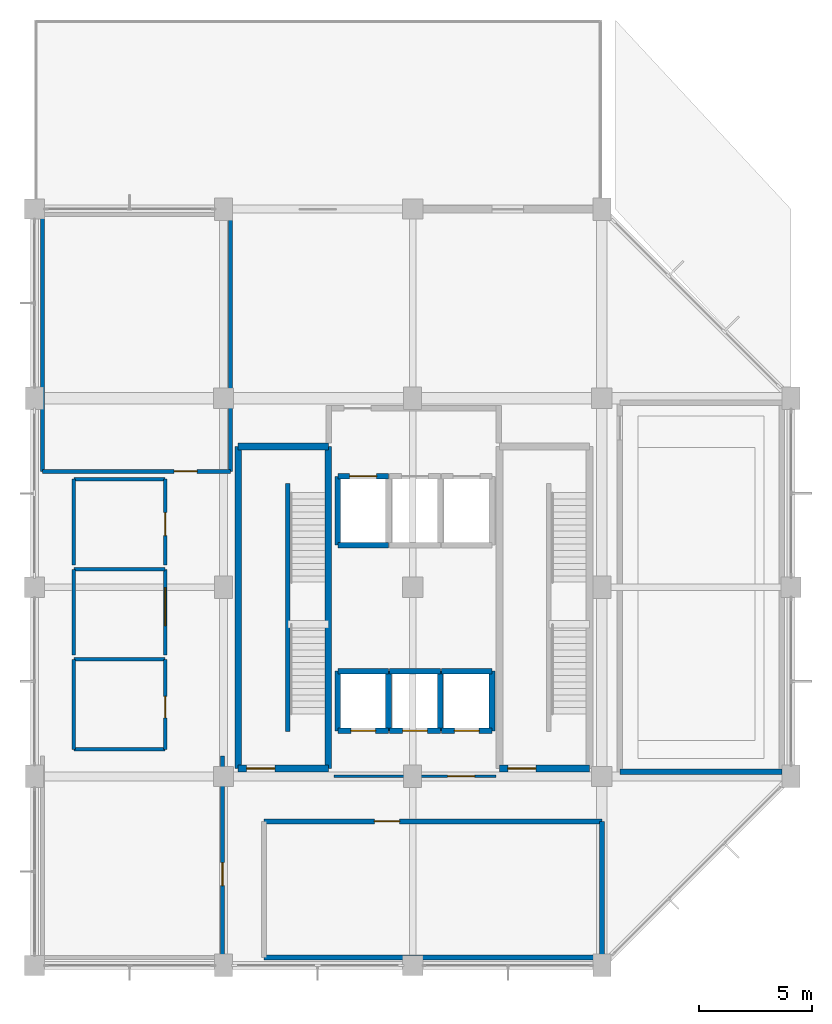
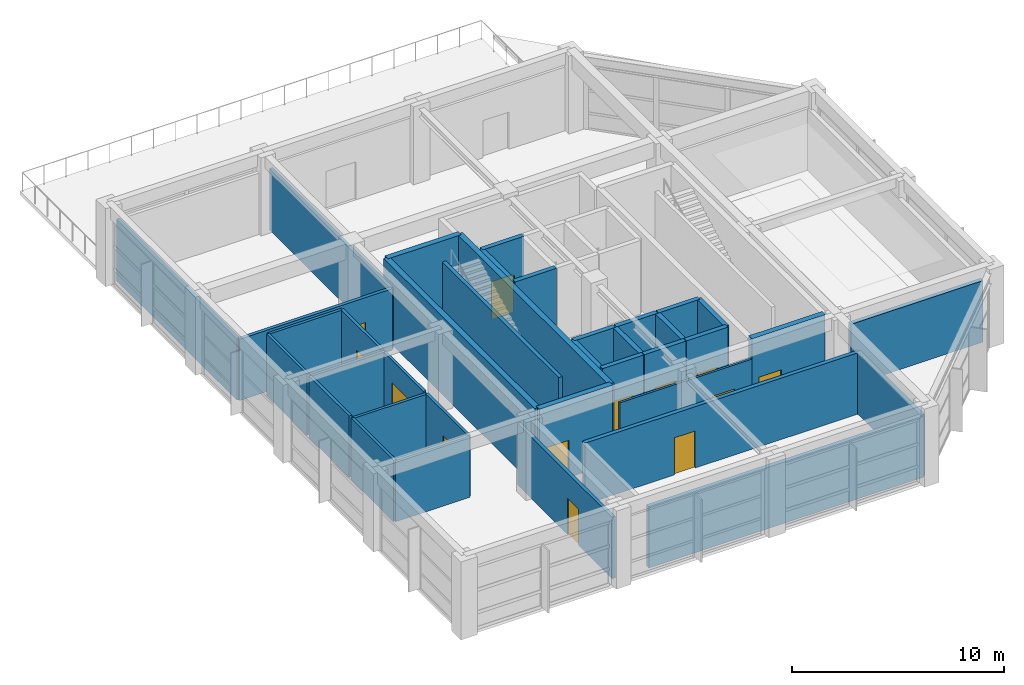
# One storey, part 8 of 10: 38 walls, 13 doors, 13 openings.
"""IFC4 building model written with IfcOpenShell, lengths in metres."""

from ifc_helpers import new_model, si_unit, direction, frame, frame_2d, origin, place, context, subcontext, project, spatial, rectangle, extrude, material, layer, layer_set, type_object, element, fill, save


model = new_model("IFC4")

# Units and contexts
model_context = context("Model", 3, precision=1e-05, world=origin(), true_north=direction((0.0, 1.0)))
body_context = subcontext(model_context, "Body", "Model", "MODEL_VIEW")
ifc_project = project(units=[si_unit("LENGTHUNIT", "METRE"), si_unit("AREAUNIT", "SQUARE_METRE"), si_unit("VOLUMEUNIT", "CUBIC_METRE"), si_unit("PLANEANGLEUNIT", "RADIAN"), si_unit("MASSUNIT", "GRAM", prefix="KILO")], contexts=[model_context])

# Site, building, storey
site_placement = place(None, origin())
site = spatial("IfcSite", under=ifc_project, at=site_placement, CompositionType="ELEMENT")
building_placement = place(site_placement, origin())
building = spatial("IfcBuilding", under=site, at=building_placement, Name="Xuanlan Plaza Opera House", CompositionType="ELEMENT")
storey_placement = place(building_placement, frame((0.0, 0.0, 69.89990234375)))
storey = spatial("IfcBuildingStorey", under=building, at=storey_placement, Name="L16", CompositionType="ELEMENT", Elevation=69.89990234375)

# Wall
ifc_material_1 = material(Name="Gypsum Board and Galvanised Steel Studs", Category="gypsum")
ifc_layer_1 = layer(ifc_material_1, 0.239990234375)
ifc_layer_set_1 = layer_set([ifc_layer_1], Name="Gypsum Board and Galvanised Steel Studs")
wall_type_1 = type_object("IfcWallType", Name="INT-WL-PW-01", PredefinedType="PARTITIONING", material=ifc_layer_set_1)
wall_1_placement = place(storey_placement, frame((152.0, 50.60009765625, 0.0), z_axis=(0.0, 0.0, 1.0), x_axis=(1.0, 0.0, 0.0)))
element("IfcWall", 1, at=wall_1_placement, inside=storey, type_object=wall_type_1, Name="Overture Chamber Salon Wall South", PredefinedType="PARTITIONING", context=body_context, shape_type="SweptSolid", body=[
    extrude(rectangle(XDim=7.199951171875, YDim=0.239990234375, at=frame_2d((3.60009765625, 0.0))), origin(), (0.0, 0.0, 1.0), 3.5400390625),
])

# Wall, opening, door
ifc_layer_2 = layer(ifc_material_1, 0.179931640625)
ifc_layer_set_2 = layer_set([ifc_layer_2], Name="Gypsum Board and Galvanised Steel Studs")
wall_type_2 = type_object("IfcWallType", Name="INT-WL-PW-02", PredefinedType="PARTITIONING", material=ifc_layer_set_2)
wall_2_placement = place(storey_placement, frame((134.35009765625, 42.35009765625, 0.0), z_axis=(0.0, 0.0, 1.0), x_axis=(0.0, 1.0, 0.0)))
wall_2 = element("IfcWall", 2, at=wall_2_placement, inside=storey, type_object=wall_type_2, Name="Crown Cultural Reception Office Wall East", PredefinedType="PARTITIONING", context=body_context, shape_type="SweptSolid", body=[
    extrude(rectangle(XDim=8.949951171875, YDim=0.179931640625, at=frame_2d((4.47509765625, 0.0))), origin(), (0.0, 0.0, 1.0), 3.5400390625),
])
opening_1_placement = place(wall_2_placement, frame((3.199951171875, 0.0, 0.0)))
opening_1 = element("IfcOpeningElement", 3, at=opening_1_placement, cuts=wall_2, Name="Opening D-02", PredefinedType="OPENING", context=body_context, shape_type="SweptSolid", body=[
    extrude(rectangle(XDim=1.02001953125, YDim=2.10009765625, at=frame_2d((0.510009765625, 1.050048828125))), frame((0.0, 0.099853515625, 0.0), z_axis=(0.0, -1.0, 0.0), x_axis=(1.0, 0.0, 0.0)), (0.0, 0.0, 1.0), 0.199951171875),
])
ifc_material_2 = material(Name="Oak Hardwood Timber", Category="wood")
door_type_1 = type_object("IfcDoorType", Name="INT-DR-D-02", OperationType="NOTDEFINED", PredefinedType="DOOR", material=ifc_material_2)
door_1_placement = place(opening_1_placement, origin())
door_1 = element("IfcDoor", 4, at=door_1_placement, inside=storey, type_object=door_type_1, Name="Crown Cultural Reception Office Door 1", OperationType="SINGLE_SWING_RIGHT", OverallHeight=2.10009765625, OverallWidth=1.02001953125, PredefinedType="DOOR", context=body_context, shape_type="SweptSolid", body=[
    extrude(rectangle(XDim=1.02001953125, YDim=2.10009765625, at=frame_2d((0.510009765625, 1.050048828125))), frame((0.0, 0.02490234375, 0.0), z_axis=(0.0, -1.0, 0.0), x_axis=(1.0, 0.0, 0.0)), (0.0, 0.0, 1.0), 0.050048828125),
])
fill(opening_1, door_1)

wall_3_placement = place(storey_placement, frame((126.35009765625, 63.949951171875, 0.0), z_axis=(0.0, 0.0, 1.0), x_axis=(1.0, 0.0, 0.0)))
wall_3 = element("IfcWall", 5, at=wall_3_placement, inside=storey, type_object=wall_type_2, Name="Crown Artist Green Studio Wall South", PredefinedType="PARTITIONING", context=body_context, shape_type="SweptSolid", body=[
    extrude(rectangle(XDim=8.349853515625, YDim=0.179931640625, at=frame_2d((4.1748046875, 0.0))), origin(), (0.0, 0.0, 1.0), 3.5400390625),
])
opening_2_placement = place(wall_3_placement, frame((5.85009765625, 0.0, 0.0)))
opening_2 = element("IfcOpeningElement", 6, at=opening_2_placement, cuts=wall_3, Name="Opening D-02", PredefinedType="OPENING", context=body_context, shape_type="SweptSolid", body=[
    extrude(rectangle(XDim=1.02001953125, YDim=2.10009765625, at=frame_2d((0.510009765625, 1.050048828125))), frame((0.0, 0.099853515625, 0.0), z_axis=(0.0, -1.0, 0.0), x_axis=(1.0, 0.0, 0.0)), (0.0, 0.0, 1.0), 0.199951171875),
])
door_2_placement = place(opening_2_placement, origin())
door_2 = element("IfcDoor", 7, at=door_2_placement, inside=storey, type_object=door_type_1, Name="Crown Artist Green Studio Door 1", OperationType="SINGLE_SWING_RIGHT", OverallHeight=2.10009765625, OverallWidth=1.02001953125, PredefinedType="DOOR", context=body_context, shape_type="SweptSolid", body=[
    extrude(rectangle(XDim=1.02001953125, YDim=2.10009765625, at=frame_2d((0.510009765625, 1.050048828125))), frame((0.0, 0.02490234375, 0.0), z_axis=(0.0, -1.0, 0.0), x_axis=(1.0, 0.0, 0.0)), (0.0, 0.0, 1.0), 0.050048828125),
])
fill(opening_2, door_2)

# Walls
for number, where, z_axis, x_axis, name in (
    (8, (126.35009765625, 63.949951171875, 0.0), (0.0, 0.0, 1.0), (0.0, 1.0, 0.0), "Crown Artist Green Studio Wall West"),
    (9, (134.699951171875, 63.949951171875, 0.0), (0.0, 0.0, 1.0), (0.0, 1.0, 0.0), "Crown Artist Green Studio Wall East"),
):
    element("IfcWall", number, at=place(storey_placement, frame(where, z_axis=z_axis, x_axis=x_axis)), inside=storey, type_object=wall_type_2, Name=name, PredefinedType="PARTITIONING", context=body_context, shape_type="SweptSolid", body=[
        extrude(rectangle(XDim=11.400146484375, YDim=0.179931640625, at=frame_2d((5.7001953125, 0.0))), origin(), (0.0, 0.0, 1.0), 3.5400390625),
    ])
ifc_material_3 = material(Name="Autoclaved Aerated Blockwork Masonry", Category="masonry")
ifc_layer_3 = layer(ifc_material_3, 0.14990234375)
ifc_layer_set_3 = layer_set([ifc_layer_3], Name="Autoclaved Aerated Blockwork Masonry")
wall_type_3 = type_object("IfcWallType", Name="INT-WL-PW-03", PredefinedType="PARTITIONING", material=ifc_layer_set_3)
for number, where, z_axis, x_axis, name in (
    (10, (127.75, 51.60009765625, 0.0), (0.0, 0.0, 1.0), (1.0, 0.0, 0.0), "Public WC Wall South"),
    (11, (127.75, 55.60009765625, 0.0), (0.0, 0.0, 1.0), (1.0, 0.0, 0.0), "Public WC Wall North"),
):
    element("IfcWall", number, at=place(storey_placement, frame(where, z_axis=z_axis, x_axis=x_axis)), inside=storey, type_object=wall_type_3, Name=name, PredefinedType="PARTITIONING", context=body_context, shape_type="SweptSolid", body=[
        extrude(rectangle(XDim=4.050048828125, YDim=0.14990234375, at=frame_2d((2.02490234375, 0.0))), origin(), (0.0, 0.0, 1.0), 3.5400390625),
    ])
wall_4_placement = place(storey_placement, frame((127.75, 51.60009765625, 0.0), z_axis=(0.0, 0.0, 1.0), x_axis=(0.0, 1.0, 0.0)))
element("IfcWall", 12, at=wall_4_placement, inside=storey, type_object=wall_type_3, Name="Public WC Wall West", PredefinedType="PARTITIONING", context=body_context, shape_type="SweptSolid", body=[
    extrude(rectangle(XDim=4.0, YDim=0.14990234375, at=frame_2d((2.0, 0.0))), origin(), (0.0, 0.0, 1.0), 3.5400390625),
])

# Wall, opening, door
wall_5_placement = place(storey_placement, frame((131.800048828125, 51.60009765625, 0.0), z_axis=(0.0, 0.0, 1.0), x_axis=(0.0, 1.0, 0.0)))
wall_5 = element("IfcWall", 13, at=wall_5_placement, inside=storey, type_object=wall_type_3, Name="Public WC Wall East", PredefinedType="PARTITIONING", context=body_context, shape_type="SweptSolid", body=[
    extrude(rectangle(XDim=4.0, YDim=0.14990234375, at=frame_2d((2.0, 0.0))), origin(), (0.0, 0.0, 1.0), 3.5400390625),
])
opening_3_placement = place(wall_5_placement, frame((1.39990234375, 0.0, 0.0)))
opening_3 = element("IfcOpeningElement", 14, at=opening_3_placement, cuts=wall_5, Name="Opening D-01", PredefinedType="OPENING", context=body_context, shape_type="SweptSolid", body=[
    extrude(rectangle(XDim=0.949951171875, YDim=2.10009765625, at=frame_2d((0.47509765625, 1.050048828125))), frame((0.0, 0.0849609375, 0.0), z_axis=(0.0, -1.0, 0.0), x_axis=(1.0, 0.0, 0.0)), (0.0, 0.0, 1.0), 0.169921875),
])
ifc_material_4 = material(Name="Walnut Hardwood Timber", Category="wood")
door_type_2 = type_object("IfcDoorType", Name="INT-DR-D-01", OperationType="NOTDEFINED", PredefinedType="DOOR", material=ifc_material_4)
door_3_placement = place(opening_3_placement, origin())
door_3 = element("IfcDoor", 15, at=door_3_placement, inside=storey, type_object=door_type_2, Name="Public WC Door 1", OperationType="SINGLE_SWING_RIGHT", OverallHeight=2.10009765625, OverallWidth=0.949951171875, PredefinedType="DOOR", context=body_context, shape_type="SweptSolid", body=[
    extrude(rectangle(XDim=0.949951171875, YDim=2.10009765625, at=frame_2d((0.47509765625, 1.050048828125))), frame((0.0, 0.02490234375, 0.0), z_axis=(0.0, -1.0, 0.0), x_axis=(1.0, 0.0, 0.0)), (0.0, 0.0, 1.0), 0.050048828125),
])
fill(opening_3, door_3)

# Walls
wall_6_placement = place(storey_placement, frame((127.75, 59.60009765625, 0.0), z_axis=(0.0, 0.0, 1.0), x_axis=(1.0, 0.0, 0.0)))
element("IfcWall", 16, at=wall_6_placement, inside=storey, type_object=wall_type_3, Name="Staff WC Wall North", PredefinedType="PARTITIONING", context=body_context, shape_type="SweptSolid", body=[
    extrude(rectangle(XDim=4.050048828125, YDim=0.14990234375, at=frame_2d((2.02490234375, 0.0))), origin(), (0.0, 0.0, 1.0), 3.5400390625),
])
wall_7_placement = place(storey_placement, frame((127.75, 55.800048828125, 0.0), z_axis=(0.0, 0.0, 1.0), x_axis=(0.0, 1.0, 0.0)))
element("IfcWall", 17, at=wall_7_placement, inside=storey, type_object=wall_type_3, Name="Staff WC Wall West", PredefinedType="PARTITIONING", context=body_context, shape_type="SweptSolid", body=[
    extrude(rectangle(XDim=3.800048828125, YDim=0.14990234375, at=frame_2d((1.89990234375, 0.0))), origin(), (0.0, 0.0, 1.0), 3.5400390625),
])

# Wall, opening, door
wall_8_placement = place(storey_placement, frame((131.800048828125, 55.800048828125, 0.0), z_axis=(0.0, 0.0, 1.0), x_axis=(0.0, 1.0, 0.0)))
wall_8 = element("IfcWall", 18, at=wall_8_placement, inside=storey, type_object=wall_type_3, Name="Staff WC Wall East", PredefinedType="PARTITIONING", context=body_context, shape_type="SweptSolid", body=[
    extrude(rectangle(XDim=3.800048828125, YDim=0.14990234375, at=frame_2d((1.89990234375, 0.0))), origin(), (0.0, 0.0, 1.0), 3.5400390625),
])
opening_4_placement = place(wall_8_placement, frame((1.300048828125, 0.0, 0.0)))
opening_4 = element("IfcOpeningElement", 19, at=opening_4_placement, cuts=wall_8, Name="Opening D-14", PredefinedType="OPENING", context=body_context, shape_type="SweptSolid", body=[
    extrude(rectangle(XDim=1.679931640625, YDim=2.239990234375, at=frame_2d((0.83984375, 1.1201171875))), frame((0.0, 0.0849609375, 0.0), z_axis=(0.0, -1.0, 0.0), x_axis=(1.0, 0.0, 0.0)), (0.0, 0.0, 1.0), 0.169921875),
])
door_type_3 = type_object("IfcDoorType", Name="INT-DR-D-14", OperationType="DOUBLE_DOOR_SINGLE_SWING", PredefinedType="DOOR", material=ifc_material_2)
door_4_placement = place(opening_4_placement, origin())
door_4 = element("IfcDoor", 20, at=door_4_placement, inside=storey, type_object=door_type_3, Name="Staff WC Door 1", OperationType="DOUBLE_DOOR_SINGLE_SWING", OverallHeight=2.239990234375, OverallWidth=1.679931640625, PredefinedType="DOOR", context=body_context, shape_type="SweptSolid", body=[
    extrude(rectangle(XDim=1.679931640625, YDim=2.239990234375, at=frame_2d((0.83984375, 1.1201171875))), frame((0.0, 0.02490234375, 0.0), z_axis=(0.0, -1.0, 0.0), x_axis=(1.0, 0.0, 0.0)), (0.0, 0.0, 1.0), 0.050048828125),
])
fill(opening_4, door_4)

# Walls
wall_9_placement = place(storey_placement, frame((127.75, 63.60009765625, 0.0), z_axis=(0.0, 0.0, 1.0), x_axis=(1.0, 0.0, 0.0)))
element("IfcWall", 21, at=wall_9_placement, inside=storey, type_object=wall_type_3, Name="Accessible WC Wall North", PredefinedType="PARTITIONING", context=body_context, shape_type="SweptSolid", body=[
    extrude(rectangle(XDim=4.050048828125, YDim=0.14990234375, at=frame_2d((2.02490234375, 0.0))), origin(), (0.0, 0.0, 1.0), 3.5400390625),
])
wall_10_placement = place(storey_placement, frame((127.75, 59.800048828125, 0.0), z_axis=(0.0, 0.0, 1.0), x_axis=(0.0, 1.0, 0.0)))
element("IfcWall", 22, at=wall_10_placement, inside=storey, type_object=wall_type_3, Name="Accessible WC Wall West", PredefinedType="PARTITIONING", context=body_context, shape_type="SweptSolid", body=[
    extrude(rectangle(XDim=3.800048828125, YDim=0.14990234375, at=frame_2d((1.89990234375, 0.0))), origin(), (0.0, 0.0, 1.0), 3.5400390625),
])

# Wall, opening, door
wall_11_placement = place(storey_placement, frame((131.800048828125, 59.800048828125, 0.0), z_axis=(0.0, 0.0, 1.0), x_axis=(0.0, 1.0, 0.0)))
wall_11 = element("IfcWall", 23, at=wall_11_placement, inside=storey, type_object=wall_type_3, Name="Accessible WC Wall East", PredefinedType="PARTITIONING", context=body_context, shape_type="SweptSolid", body=[
    extrude(rectangle(XDim=3.800048828125, YDim=0.14990234375, at=frame_2d((1.89990234375, 0.0))), origin(), (0.0, 0.0, 1.0), 3.5400390625),
])
opening_5_placement = place(wall_11_placement, frame((1.300048828125, 0.0, 0.0)))
opening_5 = element("IfcOpeningElement", 24, at=opening_5_placement, cuts=wall_11, Name="Opening D-02", PredefinedType="OPENING", context=body_context, shape_type="SweptSolid", body=[
    extrude(rectangle(XDim=1.02001953125, YDim=2.10009765625, at=frame_2d((0.510009765625, 1.050048828125))), frame((0.0, 0.0849609375, 0.0), z_axis=(0.0, -1.0, 0.0), x_axis=(1.0, 0.0, 0.0)), (0.0, 0.0, 1.0), 0.169921875),
])
door_5_placement = place(opening_5_placement, origin())
door_5 = element("IfcDoor", 25, at=door_5_placement, inside=storey, type_object=door_type_1, Name="Accessible WC Door 1", OperationType="SINGLE_SWING_RIGHT", OverallHeight=2.10009765625, OverallWidth=1.02001953125, PredefinedType="DOOR", context=body_context, shape_type="SweptSolid", body=[
    extrude(rectangle(XDim=1.02001953125, YDim=2.10009765625, at=frame_2d((0.510009765625, 1.050048828125))), frame((0.0, 0.02490234375, 0.0), z_axis=(0.0, -1.0, 0.0), x_axis=(1.0, 0.0, 0.0)), (0.0, 0.0, 1.0), 0.050048828125),
])
fill(opening_5, door_5)

ifc_layer_4 = layer(ifc_material_1, 0.1201171875)
ifc_layer_set_4 = layer_set([ifc_layer_4], Name="Gypsum Board and Galvanised Steel Studs")
wall_type_4 = type_object("IfcWallType", Name="INT-WL-PW-04", PredefinedType="PARTITIONING", material=ifc_layer_set_4)
wall_12_placement = place(storey_placement, frame((139.300048828125, 50.39990234375, 0.0), z_axis=(0.0, 0.0, 1.0), x_axis=(1.0, 0.0, 0.0)))
wall_12 = element("IfcWall", 26, at=wall_12_placement, inside=storey, type_object=wall_type_4, Name="Tower Lift Lobby Wall South", PredefinedType="PARTITIONING", context=body_context, shape_type="SweptSolid", body=[
    extrude(rectangle(XDim=7.199951171875, YDim=0.1201171875, at=frame_2d((3.60009765625, 0.0))), origin(), (0.0, 0.0, 1.0), 3.5400390625),
])
opening_6_placement = place(wall_12_placement, frame((5.050048828125, 0.0, 0.0)))
opening_6 = element("IfcOpeningElement", 27, at=opening_6_placement, cuts=wall_12, Name="Opening FD-02", PredefinedType="OPENING", context=body_context, shape_type="SweptSolid", body=[
    extrude(rectangle(XDim=1.199951171875, YDim=2.14990234375, at=frame_2d((0.60009765625, 1.074951171875))), frame((0.0, 0.070068359375, 0.0), z_axis=(0.0, -1.0, 0.0), x_axis=(1.0, 0.0, 0.0)), (0.0, 0.0, 1.0), 0.14013671875),
])
ifc_material_5 = material(Name="Galvanised Steel Q235B", Category="steel")
door_type_4 = type_object("IfcDoorType", Name="INT-DR-FD-02", OperationType="NOTDEFINED", PredefinedType="DOOR", material=ifc_material_5)
door_6_placement = place(opening_6_placement, frame((1.199951171875, 0.0, 0.0), z_axis=(0.0, 0.0, 1.0), x_axis=(-1.0, 0.0, 0.0)))
door_6 = element("IfcDoor", 28, at=door_6_placement, inside=storey, type_object=door_type_4, Name="Tower Lift Lobby Door 1", OperationType="SINGLE_SWING_RIGHT", OverallHeight=2.14990234375, OverallWidth=1.199951171875, PredefinedType="DOOR", context=body_context, shape_type="SweptSolid", body=[
    extrude(rectangle(XDim=1.199951171875, YDim=2.14990234375, at=frame_2d((0.60009765625, 1.074951171875))), frame((0.0, 0.02490234375, 0.0), z_axis=(0.0, -1.0, 0.0), x_axis=(1.0, 0.0, 0.0)), (0.0, 0.0, 1.0), 0.050048828125),
])
fill(opening_6, door_6)

# Wall
ifc_layer_5 = layer(ifc_material_3, 0.219970703125)
ifc_layer_set_5 = layer_set([ifc_layer_5], Name="Autoclaved Aerated Blockwork Masonry")
wall_type_5 = type_object("IfcWallType", Name="INT-WL-PW-06", PredefinedType="PARTITIONING", material=ifc_layer_set_5)
wall_13_placement = place(storey_placement, frame((136.199951171875, 42.35009765625, 0.0), z_axis=(0.0, 0.0, 1.0), x_axis=(1.0, 0.0, 0.0)))
element("IfcWall", 29, at=wall_13_placement, inside=storey, type_object=wall_type_5, Name="Crown Patron Recital Salon Wall South", PredefinedType="PARTITIONING", context=body_context, shape_type="SweptSolid", body=[
    extrude(rectangle(XDim=15.0, YDim=0.219970703125, at=frame_2d((7.5, 0.0))), origin(), (0.0, 0.0, 1.0), 3.5400390625),
])

# Wall, opening, door
wall_14_placement = place(storey_placement, frame((136.199951171875, 48.39990234375, 0.0), z_axis=(0.0, 0.0, 1.0), x_axis=(1.0, 0.0, 0.0)))
wall_14 = element("IfcWall", 30, at=wall_14_placement, inside=storey, type_object=wall_type_5, Name="Crown Patron Recital Salon Wall North", PredefinedType="PARTITIONING", context=body_context, shape_type="SweptSolid", body=[
    extrude(rectangle(XDim=15.0, YDim=0.219970703125, at=frame_2d((7.5, 0.0))), origin(), (0.0, 0.0, 1.0), 3.5400390625),
])
opening_7_placement = place(wall_14_placement, frame((4.89990234375, 0.0, 0.0)))
opening_7 = element("IfcOpeningElement", 31, at=opening_7_placement, cuts=wall_14, Name="Opening D-10", PredefinedType="OPENING", context=body_context, shape_type="SweptSolid", body=[
    extrude(rectangle(XDim=1.1201171875, YDim=2.139892578125, at=frame_2d((0.56005859375, 1.06982421875))), frame((0.0, 0.119873046875, 0.0), z_axis=(0.0, -1.0, 0.0), x_axis=(1.0, 0.0, 0.0)), (0.0, 0.0, 1.0), 0.239990234375),
])
door_type_5 = type_object("IfcDoorType", Name="INT-DR-D-10", OperationType="NOTDEFINED", PredefinedType="DOOR", material=ifc_material_2)
door_7_placement = place(opening_7_placement, origin())
door_7 = element("IfcDoor", 32, at=door_7_placement, inside=storey, type_object=door_type_5, Name="Crown Patron Recital Salon Door 1", OperationType="SINGLE_SWING_RIGHT", OverallHeight=2.139892578125, OverallWidth=1.1201171875, PredefinedType="DOOR", context=body_context, shape_type="SweptSolid", body=[
    extrude(rectangle(XDim=1.1201171875, YDim=2.139892578125, at=frame_2d((0.56005859375, 1.06982421875))), frame((0.0, 0.02490234375, 0.0), z_axis=(0.0, -1.0, 0.0), x_axis=(1.0, 0.0, 0.0)), (0.0, 0.0, 1.0), 0.050048828125),
])
fill(opening_7, door_7)

# Walls
wall_15_placement = place(storey_placement, frame((151.199951171875, 42.35009765625, 0.0), z_axis=(0.0, 0.0, 1.0), x_axis=(0.0, 1.0, 0.0)))
element("IfcWall", 33, at=wall_15_placement, inside=storey, type_object=wall_type_5, Name="Crown Patron Recital Salon Wall East", PredefinedType="PARTITIONING", context=body_context, shape_type="SweptSolid", body=[
    extrude(rectangle(XDim=6.0498046875, YDim=0.219970703125, at=frame_2d((3.02490234375, 0.0))), origin(), (0.0, 0.0, 1.0), 3.5400390625),
])
ifc_material_6 = material(Name="Concrete C40", Category="concrete")
ifc_layer_6 = layer(ifc_material_6, 0.25)
ifc_layer_set_6 = layer_set([ifc_layer_6], Name="Concrete C40")
wall_type_6 = type_object("IfcWallType", Name="INT-WL-SW-LF1", PredefinedType="SHEAR", material=ifc_layer_set_6)
wall_16_placement = place(storey_placement, frame((139.47509765625, 60.675048828125, 0.0), z_axis=(0.0, 0.0, 1.0), x_axis=(1.0, 0.0, 0.0)))
element("IfcWall", 34, at=wall_16_placement, inside=storey, type_object=wall_type_6, Name="Lift Shaft Wall LF-FF1 L16 South", PredefinedType="SHEAR", context=body_context, shape_type="SweptSolid", body=[
    extrude(rectangle(XDim=2.25, YDim=0.25, at=frame_2d((1.125, 0.0))), origin(), (0.0, 0.0, 1.0), 4.260009765625),
])

# Wall, opening, door
wall_17_placement = place(storey_placement, frame((139.47509765625, 63.72509765625, 0.0), z_axis=(0.0, 0.0, 1.0), x_axis=(1.0, 0.0, 0.0)))
wall_17 = element("IfcWall", 35, at=wall_17_placement, inside=storey, type_object=wall_type_6, Name="Lift Shaft Wall LF-FF1 L16 North", PredefinedType="SHEAR", context=body_context, shape_type="SweptSolid", body=[
    extrude(rectangle(XDim=2.25, YDim=0.25, at=frame_2d((1.125, 0.0))), origin(), (0.0, 0.0, 1.0), 4.260009765625),
])
opening_8_placement = place(wall_17_placement, frame((0.52490234375, 0.0, 0.0)))
opening_8 = element("IfcOpeningElement", 36, at=opening_8_placement, cuts=wall_17, Name="Opening LD-FF1-L16", PredefinedType="OPENING", context=body_context, shape_type="SweptSolid", body=[
    extrude(rectangle(XDim=1.199951171875, YDim=2.179931640625, at=frame_2d((0.60009765625, 1.08984375))), frame((0.0, 0.135009765625, 0.0), z_axis=(0.0, -1.0, 0.0), x_axis=(1.0, 0.0, 0.0)), (0.0, 0.0, 1.0), 0.27001953125),
])
ifc_material_7 = material(Name="Stainless Steel S30408", Category="steel")
door_type_6 = type_object("IfcDoorType", Name="INT-DR-LD-02", OperationType="DOUBLE_DOOR_SLIDING", PredefinedType="DOOR", material=ifc_material_7)
door_8_placement = place(opening_8_placement, origin())
door_8 = element("IfcDoor", 37, at=door_8_placement, inside=storey, type_object=door_type_6, Name="Lift Sliding Landing Door LF-FF1 L16", OperationType="DOUBLE_DOOR_SLIDING", OverallHeight=2.179931640625, OverallWidth=1.199951171875, PredefinedType="DOOR", context=body_context, shape_type="SweptSolid", body=[
    extrude(rectangle(XDim=1.199951171875, YDim=2.179931640625, at=frame_2d((0.60009765625, 1.08984375))), frame((0.0, 0.02490234375, 0.0), z_axis=(0.0, -1.0, 0.0), x_axis=(1.0, 0.0, 0.0)), (0.0, 0.0, 1.0), 0.050048828125),
])
fill(opening_8, door_8)

# Wall
wall_18_placement = place(storey_placement, frame((139.47509765625, 60.675048828125, 0.0), z_axis=(0.0, 0.0, 1.0), x_axis=(0.0, 1.0, 0.0)))
element("IfcWall", 38, at=wall_18_placement, inside=storey, type_object=wall_type_6, Name="Lift Shaft Wall LF-FF1 L16 West", PredefinedType="SHEAR", context=body_context, shape_type="SweptSolid", body=[
    extrude(rectangle(XDim=3.050048828125, YDim=0.25, at=frame_2d((1.52490234375, 0.0))), origin(), (0.0, 0.0, 1.0), 4.260009765625),
])

# Wall, opening, door
wall_19_placement = place(storey_placement, frame((139.47509765625, 52.425048828125, 0.0), z_axis=(0.0, 0.0, 1.0), x_axis=(1.0, 0.0, 0.0)))
wall_19 = element("IfcWall", 39, at=wall_19_placement, inside=storey, type_object=wall_type_6, Name="Lift Shaft Wall LF-P1 L16 South", PredefinedType="SHEAR", context=body_context, shape_type="SweptSolid", body=[
    extrude(rectangle(XDim=2.25, YDim=0.25, at=frame_2d((1.125, 0.0))), origin(), (0.0, 0.0, 1.0), 4.260009765625),
])
opening_9_placement = place(wall_19_placement, frame((0.574951171875, 0.0, 0.0)))
opening_9 = element("IfcOpeningElement", 40, at=opening_9_placement, cuts=wall_19, Name="Opening LD-P1-L16", PredefinedType="OPENING", context=body_context, shape_type="SweptSolid", body=[
    extrude(rectangle(XDim=1.10009765625, YDim=2.14990234375, at=frame_2d((0.550048828125, 1.074951171875))), frame((0.0, 0.135009765625, 0.0), z_axis=(0.0, -1.0, 0.0), x_axis=(1.0, 0.0, 0.0)), (0.0, 0.0, 1.0), 0.27001953125),
])
door_type_7 = type_object("IfcDoorType", Name="INT-DR-LD-01", OperationType="DOUBLE_DOOR_SLIDING", PredefinedType="DOOR", material=ifc_material_7)
door_9_placement = place(opening_9_placement, origin())
door_9 = element("IfcDoor", 41, at=door_9_placement, inside=storey, type_object=door_type_7, Name="Lift Sliding Landing Door LF-P1 L16", OperationType="DOUBLE_DOOR_SLIDING", OverallHeight=2.14990234375, OverallWidth=1.10009765625, PredefinedType="DOOR", context=body_context, shape_type="SweptSolid", body=[
    extrude(rectangle(XDim=1.10009765625, YDim=2.14990234375, at=frame_2d((0.550048828125, 1.074951171875))), frame((0.0, 0.02490234375, 0.0), z_axis=(0.0, -1.0, 0.0), x_axis=(1.0, 0.0, 0.0)), (0.0, 0.0, 1.0), 0.050048828125),
])
fill(opening_9, door_9)

# Walls
wall_20_placement = place(storey_placement, frame((139.47509765625, 55.074951171875, 0.0), z_axis=(0.0, 0.0, 1.0), x_axis=(1.0, 0.0, 0.0)))
element("IfcWall", 42, at=wall_20_placement, inside=storey, type_object=wall_type_6, Name="Lift Shaft Wall LF-P1 L16 North", PredefinedType="SHEAR", context=body_context, shape_type="SweptSolid", body=[
    extrude(rectangle(XDim=2.25, YDim=0.25, at=frame_2d((1.125, 0.0))), origin(), (0.0, 0.0, 1.0), 4.260009765625),
])
for number, where, z_axis, x_axis, name in (
    (43, (139.47509765625, 52.425048828125, 0.0), (0.0, 0.0, 1.0), (0.0, 1.0, 0.0), "Lift Shaft Wall LF-P1 L16 West"),
    (44, (141.72509765625, 52.425048828125, 0.0), (0.0, 0.0, 1.0), (0.0, 1.0, 0.0), "Lift Shaft Wall LF-P1 L16 East"),
):
    element("IfcWall", number, at=place(storey_placement, frame(where, z_axis=z_axis, x_axis=x_axis)), inside=storey, type_object=wall_type_6, Name=name, PredefinedType="SHEAR", context=body_context, shape_type="SweptSolid", body=[
        extrude(rectangle(XDim=2.64990234375, YDim=0.25, at=frame_2d((1.324951171875, 0.0))), origin(), (0.0, 0.0, 1.0), 4.260009765625),
    ])

# Wall, opening, door
wall_21_placement = place(storey_placement, frame((141.77490234375, 52.425048828125, 0.0), z_axis=(0.0, 0.0, 1.0), x_axis=(1.0, 0.0, 0.0)))
wall_21 = element("IfcWall", 45, at=wall_21_placement, inside=storey, type_object=wall_type_6, Name="Lift Shaft Wall LF-P2 L16 South", PredefinedType="SHEAR", context=body_context, shape_type="SweptSolid", body=[
    extrude(rectangle(XDim=2.25, YDim=0.25, at=frame_2d((1.125, 0.0))), origin(), (0.0, 0.0, 1.0), 4.260009765625),
])
opening_10_placement = place(wall_21_placement, frame((0.574951171875, 0.0, 0.0)))
opening_10 = element("IfcOpeningElement", 46, at=opening_10_placement, cuts=wall_21, Name="Opening LD-P2-L16", PredefinedType="OPENING", context=body_context, shape_type="SweptSolid", body=[
    extrude(rectangle(XDim=1.10009765625, YDim=2.14990234375, at=frame_2d((0.550048828125, 1.074951171875))), frame((0.0, 0.135009765625, 0.0), z_axis=(0.0, -1.0, 0.0), x_axis=(1.0, 0.0, 0.0)), (0.0, 0.0, 1.0), 0.27001953125),
])
door_10_placement = place(opening_10_placement, origin())
door_10 = element("IfcDoor", 47, at=door_10_placement, inside=storey, type_object=door_type_7, Name="Lift Sliding Landing Door LF-P2 L16", OperationType="DOUBLE_DOOR_SLIDING", OverallHeight=2.14990234375, OverallWidth=1.10009765625, PredefinedType="DOOR", context=body_context, shape_type="SweptSolid", body=[
    extrude(rectangle(XDim=1.10009765625, YDim=2.14990234375, at=frame_2d((0.550048828125, 1.074951171875))), frame((0.0, 0.02490234375, 0.0), z_axis=(0.0, -1.0, 0.0), x_axis=(1.0, 0.0, 0.0)), (0.0, 0.0, 1.0), 0.050048828125),
])
fill(opening_10, door_10)

# Walls
wall_22_placement = place(storey_placement, frame((141.77490234375, 55.074951171875, 0.0), z_axis=(0.0, 0.0, 1.0), x_axis=(1.0, 0.0, 0.0)))
element("IfcWall", 48, at=wall_22_placement, inside=storey, type_object=wall_type_6, Name="Lift Shaft Wall LF-P2 L16 North", PredefinedType="SHEAR", context=body_context, shape_type="SweptSolid", body=[
    extrude(rectangle(XDim=2.25, YDim=0.25, at=frame_2d((1.125, 0.0))), origin(), (0.0, 0.0, 1.0), 4.260009765625),
])
wall_23_placement = place(storey_placement, frame((144.02490234375, 52.425048828125, 0.0), z_axis=(0.0, 0.0, 1.0), x_axis=(0.0, 1.0, 0.0)))
element("IfcWall", 49, at=wall_23_placement, inside=storey, type_object=wall_type_6, Name="Lift Shaft Wall LF-P2 L16 East", PredefinedType="SHEAR", context=body_context, shape_type="SweptSolid", body=[
    extrude(rectangle(XDim=2.64990234375, YDim=0.25, at=frame_2d((1.324951171875, 0.0))), origin(), (0.0, 0.0, 1.0), 4.260009765625),
])

# Wall, opening, door
wall_24_placement = place(storey_placement, frame((144.074951171875, 52.425048828125, 0.0), z_axis=(0.0, 0.0, 1.0), x_axis=(1.0, 0.0, 0.0)))
wall_24 = element("IfcWall", 50, at=wall_24_placement, inside=storey, type_object=wall_type_6, Name="Lift Shaft Wall LF-P3 L16 South", PredefinedType="SHEAR", context=body_context, shape_type="SweptSolid", body=[
    extrude(rectangle(XDim=2.25, YDim=0.25, at=frame_2d((1.125, 0.0))), origin(), (0.0, 0.0, 1.0), 4.260009765625),
])
opening_11_placement = place(wall_24_placement, frame((0.574951171875, 0.0, 0.0)))
opening_11 = element("IfcOpeningElement", 51, at=opening_11_placement, cuts=wall_24, Name="Opening LD-P3-L16", PredefinedType="OPENING", context=body_context, shape_type="SweptSolid", body=[
    extrude(rectangle(XDim=1.10009765625, YDim=2.14990234375, at=frame_2d((0.550048828125, 1.074951171875))), frame((0.0, 0.135009765625, 0.0), z_axis=(0.0, -1.0, 0.0), x_axis=(1.0, 0.0, 0.0)), (0.0, 0.0, 1.0), 0.27001953125),
])
door_11_placement = place(opening_11_placement, origin())
door_11 = element("IfcDoor", 52, at=door_11_placement, inside=storey, type_object=door_type_7, Name="Lift Sliding Landing Door LF-P3 L16", OperationType="DOUBLE_DOOR_SLIDING", OverallHeight=2.14990234375, OverallWidth=1.10009765625, PredefinedType="DOOR", context=body_context, shape_type="SweptSolid", body=[
    extrude(rectangle(XDim=1.10009765625, YDim=2.14990234375, at=frame_2d((0.550048828125, 1.074951171875))), frame((0.0, 0.02490234375, 0.0), z_axis=(0.0, -1.0, 0.0), x_axis=(1.0, 0.0, 0.0)), (0.0, 0.0, 1.0), 0.050048828125),
])
fill(opening_11, door_11)

# Walls
wall_25_placement = place(storey_placement, frame((144.074951171875, 55.074951171875, 0.0), z_axis=(0.0, 0.0, 1.0), x_axis=(1.0, 0.0, 0.0)))
element("IfcWall", 53, at=wall_25_placement, inside=storey, type_object=wall_type_6, Name="Lift Shaft Wall LF-P3 L16 North", PredefinedType="SHEAR", context=body_context, shape_type="SweptSolid", body=[
    extrude(rectangle(XDim=2.25, YDim=0.25, at=frame_2d((1.125, 0.0))), origin(), (0.0, 0.0, 1.0), 4.260009765625),
])
wall_26_placement = place(storey_placement, frame((146.324951171875, 52.425048828125, 0.0), z_axis=(0.0, 0.0, 1.0), x_axis=(0.0, 1.0, 0.0)))
element("IfcWall", 54, at=wall_26_placement, inside=storey, type_object=wall_type_6, Name="Lift Shaft Wall LF-P3 L16 East", PredefinedType="SHEAR", context=body_context, shape_type="SweptSolid", body=[
    extrude(rectangle(XDim=2.64990234375, YDim=0.25, at=frame_2d((1.324951171875, 0.0))), origin(), (0.0, 0.0, 1.0), 4.260009765625),
])
ifc_layer_7 = layer(ifc_material_6, 0.199951171875)
ifc_layer_set_7 = layer_set([ifc_layer_7], Name="Concrete C40")
wall_type_7 = type_object("IfcWallType", Name="INT-WL-SW-SPN", PredefinedType="SHEAR", material=ifc_layer_set_7)
wall_27_placement = place(storey_placement, frame((137.25, 52.39990234375, 0.0), z_axis=(0.0, 0.0, 1.0), x_axis=(0.0, 1.0, 0.0)))
element("IfcWall", 55, at=wall_27_placement, inside=storey, type_object=wall_type_7, Name="Stair Structural Spine Wall ST-T1 L16", PredefinedType="SHEAR", context=body_context, shape_type="SweptSolid", body=[
    extrude(rectangle(XDim=11.0, YDim=0.199951171875, at=frame_2d((5.5, 0.0))), origin(), (0.0, 0.0, 1.0), 4.5),
])

# Wall, opening, door
ifc_layer_8 = layer(ifc_material_6, 0.300048828125)
ifc_layer_set_8 = layer_set([ifc_layer_8], Name="Concrete C40")
wall_type_8 = type_object("IfcWallType", Name="INT-WL-SW-ST1", PredefinedType="SHEAR", material=ifc_layer_set_8)
wall_28_placement = place(storey_placement, frame((135.050048828125, 50.75, 0.0), z_axis=(0.0, 0.0, 1.0), x_axis=(1.0, 0.0, 0.0)))
wall_28 = element("IfcWall", 56, at=wall_28_placement, inside=storey, type_object=wall_type_8, Name="Stair Core Wall ST-T1 L16 South", PredefinedType="SHEAR", context=body_context, shape_type="SweptSolid", body=[
    extrude(rectangle(XDim=4.0, YDim=0.300048828125, at=frame_2d((2.0, 0.0))), origin(), (0.0, 0.0, 1.0), 4.5),
])
opening_12_placement = place(wall_28_placement, frame((0.375, 0.0, 0.0)))
opening_12 = element("IfcOpeningElement", 57, at=opening_12_placement, cuts=wall_28, Name="Opening FD-ST1", PredefinedType="OPENING", context=body_context, shape_type="SweptSolid", body=[
    extrude(rectangle(XDim=1.25, YDim=2.14990234375, at=frame_2d((0.625, 1.074951171875))), frame((0.0, 0.159912109375, 0.0), z_axis=(0.0, -1.0, 0.0), x_axis=(1.0, 0.0, 0.0)), (0.0, 0.0, 1.0), 0.320068359375),
])
door_type_8 = type_object("IfcDoorType", Name="INT-DR-FD-ST1", OperationType="NOTDEFINED", PredefinedType="DOOR", material=ifc_material_5)
door_12_placement = place(opening_12_placement, origin())
door_12 = element("IfcDoor", 58, at=door_12_placement, inside=storey, type_object=door_type_8, Name="Stair Enclosure Fire Door ST-T1 L16", OperationType="SINGLE_SWING_LEFT", OverallHeight=2.14990234375, OverallWidth=1.25, PredefinedType="DOOR", context=body_context, shape_type="SweptSolid", body=[
    extrude(rectangle(XDim=1.25, YDim=2.14990234375, at=frame_2d((0.625, 1.074951171875))), frame((0.0, 0.02490234375, 0.0), z_axis=(0.0, -1.0, 0.0), x_axis=(1.0, 0.0, 0.0)), (0.0, 0.0, 1.0), 0.050048828125),
])
fill(opening_12, door_12)

# Walls
wall_29_placement = place(storey_placement, frame((135.050048828125, 65.050048828125, 0.0), z_axis=(0.0, 0.0, 1.0), x_axis=(1.0, 0.0, 0.0)))
element("IfcWall", 59, at=wall_29_placement, inside=storey, type_object=wall_type_8, Name="Stair Core Wall ST-T1 L16 North", PredefinedType="SHEAR", context=body_context, shape_type="SweptSolid", body=[
    extrude(rectangle(XDim=4.0, YDim=0.300048828125, at=frame_2d((2.0, 0.0))), origin(), (0.0, 0.0, 1.0), 4.5),
])
for number, where, z_axis, x_axis, name in (
    (60, (135.050048828125, 50.75, 0.0), (0.0, 0.0, 1.0), (0.0, 1.0, 0.0), "Stair Core Wall ST-T1 L16 West"),
    (61, (139.050048828125, 50.75, 0.0), (0.0, 0.0, 1.0), (0.0, 1.0, 0.0), "Stair Core Wall ST-T1 L16 East"),
):
    element("IfcWall", number, at=place(storey_placement, frame(where, z_axis=z_axis, x_axis=x_axis)), inside=storey, type_object=wall_type_8, Name=name, PredefinedType="SHEAR", context=body_context, shape_type="SweptSolid", body=[
        extrude(rectangle(XDim=14.300048828125, YDim=0.300048828125, at=frame_2d((7.14990234375, 0.0))), origin(), (0.0, 0.0, 1.0), 4.5),
    ])

# Wall, opening, door
wall_30_placement = place(storey_placement, frame((146.64990234375, 50.75, 0.0), z_axis=(0.0, 0.0, 1.0), x_axis=(1.0, 0.0, 0.0)))
wall_30 = element("IfcWall", 62, at=wall_30_placement, inside=storey, type_object=wall_type_8, Name="Stair Core Wall ST-T2 L16 South", PredefinedType="SHEAR", context=body_context, shape_type="SweptSolid", body=[
    extrude(rectangle(XDim=4.0, YDim=0.300048828125, at=frame_2d((2.0, 0.0))), origin(), (0.0, 0.0, 1.0), 4.5),
])
opening_13_placement = place(wall_30_placement, frame((0.375, 0.0, 0.0)))
opening_13 = element("IfcOpeningElement", 63, at=opening_13_placement, cuts=wall_30, Name="Opening FD-ST1", PredefinedType="OPENING", context=body_context, shape_type="SweptSolid", body=[
    extrude(rectangle(XDim=1.25, YDim=2.14990234375, at=frame_2d((0.625, 1.074951171875))), frame((0.0, 0.159912109375, 0.0), z_axis=(0.0, -1.0, 0.0), x_axis=(1.0, 0.0, 0.0)), (0.0, 0.0, 1.0), 0.320068359375),
])
door_13_placement = place(opening_13_placement, origin())
door_13 = element("IfcDoor", 64, at=door_13_placement, inside=storey, type_object=door_type_8, Name="Stair Enclosure Fire Door ST-T2 L16", OperationType="SINGLE_SWING_RIGHT", OverallHeight=2.14990234375, OverallWidth=1.25, PredefinedType="DOOR", context=body_context, shape_type="SweptSolid", body=[
    extrude(rectangle(XDim=1.25, YDim=2.14990234375, at=frame_2d((0.625, 1.074951171875))), frame((0.0, 0.02490234375, 0.0), z_axis=(0.0, -1.0, 0.0), x_axis=(1.0, 0.0, 0.0)), (0.0, 0.0, 1.0), 0.050048828125),
])
fill(opening_13, door_13)

save(model, "model.ifc")
